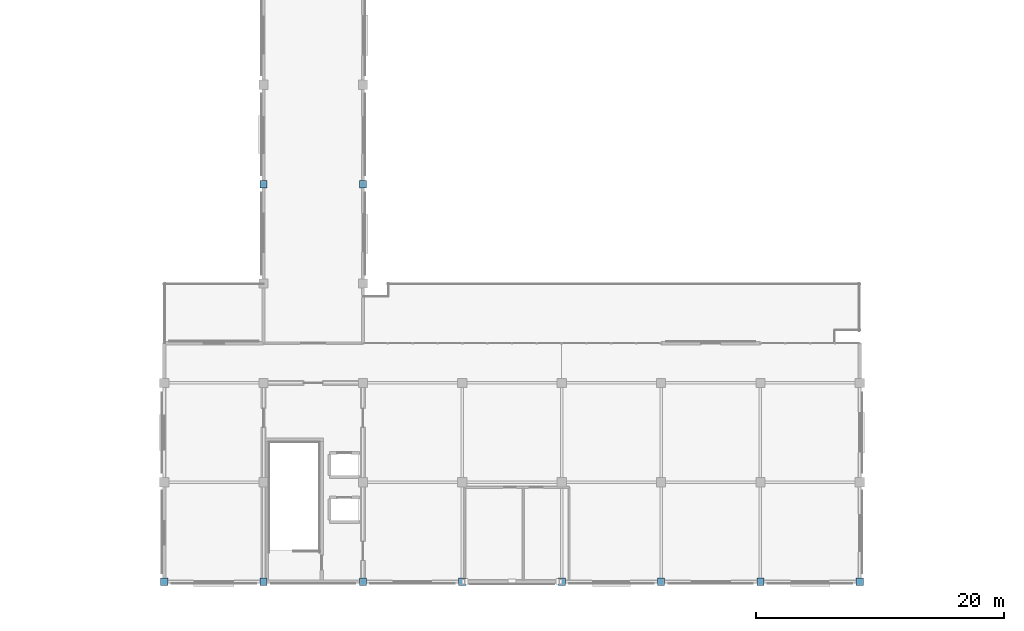
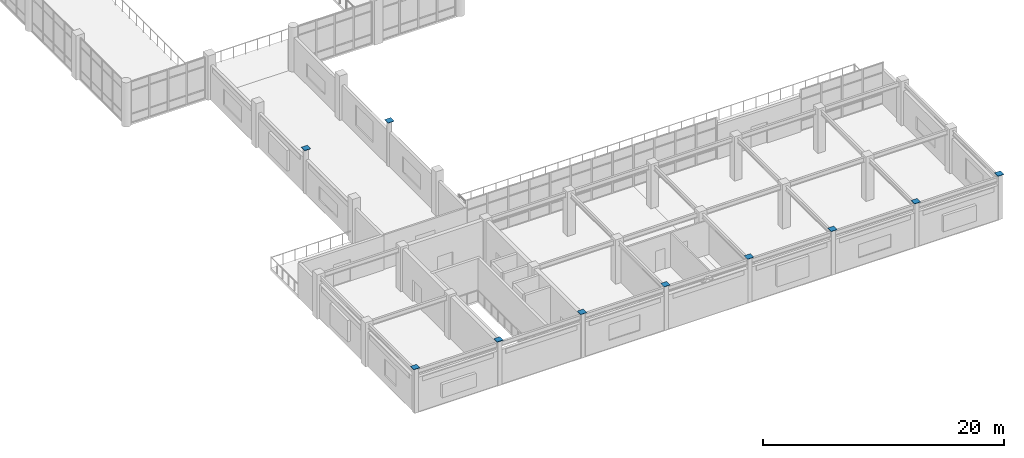
# One storey, part 36 of 42: 10 discrete accessories.
"""IFC4 building model written with IfcOpenShell, lengths in metres."""

import ifcopenshell
import ifcopenshell.guid

model = None  # the IFC model being written
_history = None  # IfcOwnerHistory: only IFC2X3 demands one
_inside = {}  # id of a spatial element -> (the spatial element, [elements in it])
_under = {}  # id of a project, library or spatial element -> (it, [spatial elements below it])
_declared = {}  # id of a project -> (the project, [libraries it declares])
_typed = {}  # id of a type object -> (the type object, [elements of that type])
_made_of = {}  # id of a material, layer set ... -> (it, [elements and type objects made of it])


def new_model(schema):
    """Start an empty IFC model of exactly this schema.

    Asked for "IFC4X3", IfcOpenShell would pick the latest addendum, in which some entities
    have other attributes; the version numbers below select the first issue.
    IFC2X3 requires an IfcOwnerHistory on every rooted entity: one is made here for all.
    """
    global model, _history
    if schema == "IFC4X3":
        model = ifcopenshell.file(schema_version=(4, 3, 0, 0))
    else:
        model = ifcopenshell.file(schema=schema)
    _inside.clear()
    _under.clear()
    _declared.clear()
    _typed.clear()
    _made_of.clear()
    _history = None
    if model.schema == "IFC2X3":
        org = make("IfcOrganization", Name="unknown")
        user = make(
            "IfcPersonAndOrganization",
            ThePerson=make("IfcPerson", FamilyName="unknown"),
            TheOrganization=org,
        )
        app = make(
            "IfcApplication",
            ApplicationDeveloper=org,
            Version="unknown",
            ApplicationFullName="unknown",
            ApplicationIdentifier="unknown",
        )
        _history = make(
            "IfcOwnerHistory",
            OwningUser=user,
            OwningApplication=app,
            ChangeAction="ADDED",
            CreationDate=0,
        )
    return model


def make(cls, **values):
    """One entity of the class cls with the attributes given. An attribute that is None is left unset."""
    return model.create_entity(
        cls, **{name: value for name, value in values.items() if value is not None}
    )


def rooted(cls, **values):
    """An entity with a GlobalId (a new one), such as an element, a storey or a relation."""
    return make(cls, GlobalId=ifcopenshell.guid.new(), OwnerHistory=_history, **values)


def si_unit(unit_type, name, prefix=None):
    """IfcSIUnit, for example si_unit("LENGTHUNIT", "METRE", prefix="MILLI")."""
    return make("IfcSIUnit", UnitType=unit_type, Prefix=prefix, Name=name)


def assignment(units):
    """IfcUnitAssignment: the units of a project."""
    return None if units is None else make("IfcUnitAssignment", Units=units)


def point(xyz):
    """IfcCartesianPoint."""
    return None if xyz is None else make("IfcCartesianPoint", Coordinates=xyz)


def direction(xyz):
    """IfcDirection."""
    return None if xyz is None else make("IfcDirection", DirectionRatios=xyz)


def frame(location, z_axis=None, x_axis=None):
    """IfcAxis2Placement3D, a coordinate frame: its origin and axes. An axis left out is left unset."""
    return make(
        "IfcAxis2Placement3D",
        Location=point(location),
        Axis=direction(z_axis),
        RefDirection=direction(x_axis),
    )


def frame_2d(location, x_axis=None):
    """IfcAxis2Placement2D, a coordinate frame in the plane: its origin and x axis."""
    return make(
        "IfcAxis2Placement2D", Location=point(location), RefDirection=direction(x_axis)
    )


def origin():
    """The frame at (0, 0, 0) with its axes left unset."""
    return frame((0.0, 0.0, 0.0))


def origin_2d():
    """The frame at (0, 0) in the plane with its x axis left unset."""
    return frame_2d((0.0, 0.0))


def place(relative_to, where):
    """IfcLocalPlacement: puts the frame where relative to a parent placement (None: the world)."""
    return make(
        "IfcLocalPlacement", PlacementRelTo=relative_to, RelativePlacement=where
    )


def context(
    kind, dimensions, precision=None, world=None, true_north=None, identifier=None
):
    """IfcGeometricRepresentationContext, for example the 3D "Model" context."""
    return make(
        "IfcGeometricRepresentationContext",
        ContextIdentifier=identifier,
        ContextType=kind,
        CoordinateSpaceDimension=dimensions,
        Precision=precision,
        WorldCoordinateSystem=world,
        TrueNorth=true_north,
    )


def subcontext(parent, identifier, kind, view, scale=None):
    """IfcGeometricRepresentationSubContext, for example "Body" below "Model"."""
    return make(
        "IfcGeometricRepresentationSubContext",
        ContextIdentifier=identifier,
        ContextType=kind,
        ParentContext=parent,
        TargetScale=scale,
        TargetView=view,
    )


def project(units=None, contexts=None):
    """IfcProject with its units and contexts."""
    return rooted(
        "IfcProject",
        Name="project",
        RepresentationContexts=contexts,
        UnitsInContext=assignment(units),
    )


def spatial(cls, under=None, at=None, **own):
    """A site, building, storey or space (cls), placed at a placement, below another one or the project."""
    s = rooted(cls, ObjectPlacement=at, **own)
    if under is not None:
        _under.setdefault(under.id(), (under, []))[1].append(s)
    return s


def profile(cls, at=None, kind="AREA", **sizes):
    """A parametric profile (cls). Its sizes go by their IFC names, for example OverallWidth=200.0."""
    return make(cls, ProfileType=kind, Position=at, **sizes)


def rectangle(**sizes):
    """IfcRectangleProfileDef."""
    return profile("IfcRectangleProfileDef", **sizes)


def extrude(swept, where, along, depth):
    """IfcExtrudedAreaSolid: the profile swept, set in the frame where, extruded along a direction by depth."""
    return make(
        "IfcExtrudedAreaSolid",
        SweptArea=swept,
        Position=where,
        ExtrudedDirection=direction(along),
        Depth=depth,
    )


def shape(context_of_items, identifier, shape_type, items):
    """IfcShapeRepresentation: the items that make up one representation, for example the "Body"."""
    return make(
        "IfcShapeRepresentation",
        ContextOfItems=context_of_items,
        RepresentationIdentifier=identifier,
        RepresentationType=shape_type,
        Items=items,
    )


def material(Name=None, Category=None):
    """IfcMaterial."""
    return make("IfcMaterial", Name=Name, Category=Category)


def layer(
    of_material, thickness, ventilated=None, Name=None, Category=None, Priority=None
):
    """IfcMaterialLayer: one layer of a wall or slab, of a material (None: an air gap)."""
    return make(
        "IfcMaterialLayer",
        Material=of_material,
        LayerThickness=thickness,
        IsVentilated=ventilated,
        Name=Name,
        Category=Category,
        Priority=Priority,
    )


def layer_set(layers, Name=None):
    """IfcMaterialLayerSet."""
    return make("IfcMaterialLayerSet", MaterialLayers=layers, LayerSetName=Name)


def made_of(thing, what):
    """Note that an element or type object is made of a material, layer set ...; save() writes the relation."""
    if what is not None:
        _made_of.setdefault(what.id(), (what, []))[1].append(thing)
    return thing


def type_object(cls, material=None, **own):
    """A type object (cls), such as IfcWallType, which elements share."""
    return made_of(rooted(cls, **own), material)


def element(
    cls,
    number,
    at=None,
    inside=None,
    cuts=None,
    type_object=None,
    material=None,
    context=None,
    identifier="Body",
    shape_type=None,
    held_by="IfcProductDefinitionShape",
    body=None,
    shapes=None,
    **own,
):
    """One element of the class cls, such as IfcWall. Its Tag is "e" and its number.

    at: its placement. inside: the storey or other place that contains it. cuts: it is an
    opening in that element (IfcRelVoidsElement). A single representation is given by context,
    identifier, shape_type and body (its items); several are given by shapes. held_by: the class
    of the entity that holds the representations. save() writes the other relations.
    """
    e = rooted(cls, Tag="e%d" % number, ObjectPlacement=at, **own)
    if body is not None:
        shapes = [shape(context, identifier, shape_type, body)]
    if shapes is not None:
        e.Representation = make(held_by, Representations=shapes)
    if inside is not None:
        _inside.setdefault(inside.id(), (inside, []))[1].append(e)
    if cuts is not None:
        rooted(
            "IfcRelVoidsElement", RelatingBuildingElement=cuts, RelatedOpeningElement=e
        )
    if type_object is not None:
        _typed.setdefault(type_object.id(), (type_object, []))[1].append(e)
    return made_of(e, material)


def aggregate(whole, parts):
    """IfcRelAggregates: a whole, such as a stair, and the parts it consists of."""
    return rooted("IfcRelAggregates", RelatingObject=whole, RelatedObjects=parts)


def save(model, path):
    """Write the relations noted so far, then the file.

    IfcRelAggregates (storeys below a building ...), IfcRelContainedInSpatialStructure (elements
    in a storey), IfcRelDefinesByType, IfcRelAssociatesMaterial and IfcRelDeclares: one each for
    every whole, place, type object, material and project.
    """
    for whole, parts in _under.values():
        aggregate(whole, parts)
    for where, things in _inside.values():
        rooted(
            "IfcRelContainedInSpatialStructure",
            RelatedElements=things,
            RelatingStructure=where,
        )
    for kind, things in _typed.values():
        rooted("IfcRelDefinesByType", RelatedObjects=things, RelatingType=kind)
    for what, things in _made_of.values():
        rooted("IfcRelAssociatesMaterial", RelatedObjects=things, RelatingMaterial=what)
    for by, libraries in _declared.values():
        rooted("IfcRelDeclares", RelatingContext=by, RelatedDefinitions=libraries)
    model.write(path)


model = new_model("IFC4")

# Units and contexts
model_context = context("Model", 3, precision=1e-05, world=origin(), true_north=direction((0.0, 1.0)))
body_context = subcontext(model_context, "Body", "Model", "MODEL_VIEW")
ifc_project = project(units=[si_unit("LENGTHUNIT", "METRE"), si_unit("AREAUNIT", "SQUARE_METRE"), si_unit("VOLUMEUNIT", "CUBIC_METRE"), si_unit("PLANEANGLEUNIT", "RADIAN"), si_unit("MASSUNIT", "GRAM", prefix="KILO")], contexts=[model_context])

# Site, building, storey
site_placement = place(None, origin())
site = spatial("IfcSite", under=ifc_project, at=site_placement, CompositionType="ELEMENT")
building_placement = place(site_placement, origin())
building = spatial("IfcBuilding", under=site, at=building_placement, Name="Solmirada Galleria", CompositionType="ELEMENT")
storey_placement = place(building_placement, frame((0.0, 0.0, 28.39990234375)))
storey = spatial("IfcBuildingStorey", under=building, at=storey_placement, Name="L06", CompositionType="ELEMENT", Elevation=28.39990234375)

# Discrete accessories
ifc_material = material(Name="Steel S355 / ASTM A572 Grade 50", Category="steel")
ifc_layer = layer(ifc_material, 0.031982421875)
ifc_layer_set = layer_set([ifc_layer], Name="Steel S355 / ASTM A572 Grade 50")
discrete_accessory_type = type_object("IfcDiscreteAccessoryType", Name="ACC-COL-CAP", PredefinedType="BRACKET", material=ifc_layer_set)
for number, where, z_axis, x_axis, name in (
    (1, (80.0, 0.0, 4.494140625), (0.0, 0.0, 1.0), (1.0, 0.0, 0.0), "Hollow column cap plate L06-0352"),
    (2, (88.0, 0.0, 4.494140625), (0.0, 0.0, 1.0), (1.0, 0.0, 0.0), "Hollow column cap plate L06-0469"),
    (3, (88.0, 32.0, 4.494140625), (0.0, 0.0, 1.0), (1.0, 0.0, 0.0), "Hollow column cap plate L06-0501"),
    (4, (96.0, 0.0, 4.494140625), (0.0, 0.0, 1.0), (1.0, 0.0, 0.0), "Hollow column cap plate L06-0591"),
    (5, (96.0, 32.0, 4.494140625), (0.0, 0.0, 1.0), (1.0, 0.0, 0.0), "Hollow column cap plate L06-0623"),
    (6, (104.0, 0.0, 4.494140625), (0.0, 0.0, 1.0), (1.0, 0.0, 0.0), "Hollow column cap plate L06-0699"),
    (7, (112.0, 0.0, 4.494140625), (0.0, 0.0, 1.0), (1.0, 0.0, 0.0), "Hollow column cap plate L06-0810"),
    (8, (120.0, 0.0, 4.494140625), (0.0, 0.0, 1.0), (1.0, 0.0, 0.0), "Hollow column cap plate L06-0927"),
    (9, (128.0, 0.0, 4.494140625), (0.0, 0.0, 1.0), (1.0, 0.0, 0.0), "Hollow column cap plate L06-1010"),
    (10, (136.0, 0.0, 4.494140625), (0.0, 0.0, 1.0), (1.0, 0.0, 0.0), "Hollow column cap plate L06-1111"),
):
    element("IfcDiscreteAccessory", number, at=place(storey_placement, frame(where, z_axis=z_axis, x_axis=x_axis)), inside=storey, type_object=discrete_accessory_type, Name=name, PredefinedType="BRACKET", context=body_context, shape_type="SweptSolid", body=[
        extrude(rectangle(XDim=0.580078125, YDim=0.580078125, at=origin_2d()), origin(), (0.0, 0.0, 1.0), 0.035888671875),
    ])

save(model, "model.ifc")
